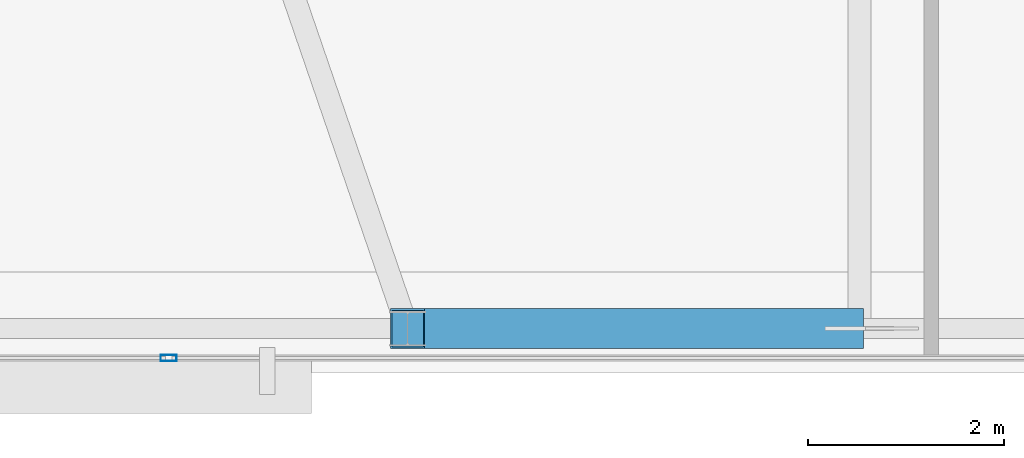
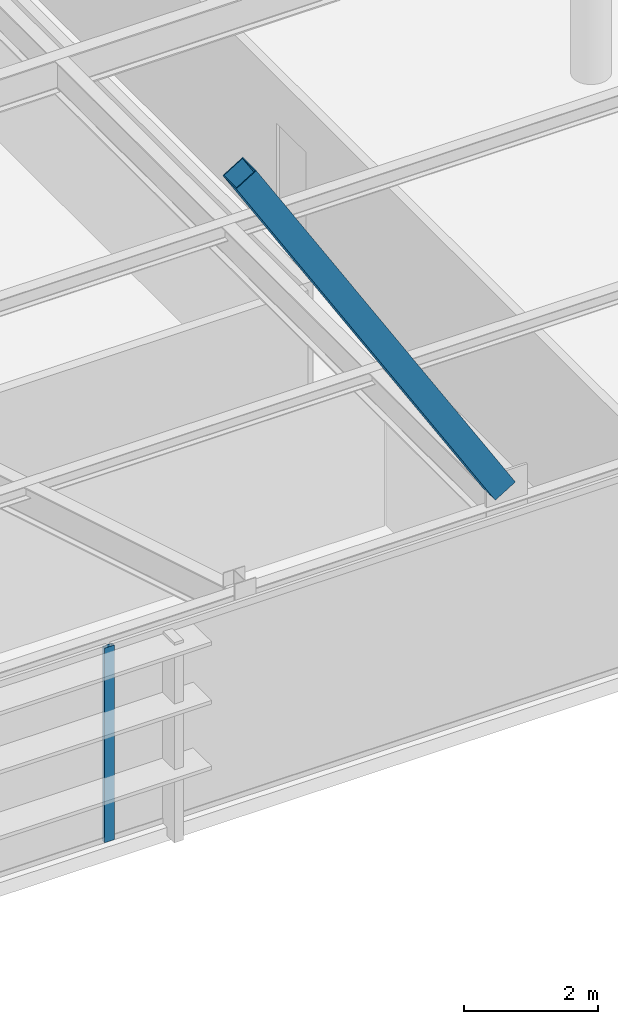
# One storey, part 6 of 27: 2 members, 1 element without a shape of its own.
"""IFC4 building model written with IfcOpenShell, lengths in metres."""

import ifcopenshell
import ifcopenshell.guid

model = None  # the IFC model being written
_history = None  # IfcOwnerHistory: only IFC2X3 demands one
_inside = {}  # id of a spatial element -> (the spatial element, [elements in it])
_under = {}  # id of a project, library or spatial element -> (it, [spatial elements below it])
_declared = {}  # id of a project -> (the project, [libraries it declares])
_typed = {}  # id of a type object -> (the type object, [elements of that type])
_made_of = {}  # id of a material, layer set ... -> (it, [elements and type objects made of it])


def new_model(schema):
    """Start an empty IFC model of exactly this schema.

    Asked for "IFC4X3", IfcOpenShell would pick the latest addendum, in which some entities
    have other attributes; the version numbers below select the first issue.
    IFC2X3 requires an IfcOwnerHistory on every rooted entity: one is made here for all.
    """
    global model, _history
    if schema == "IFC4X3":
        model = ifcopenshell.file(schema_version=(4, 3, 0, 0))
    else:
        model = ifcopenshell.file(schema=schema)
    _inside.clear()
    _under.clear()
    _declared.clear()
    _typed.clear()
    _made_of.clear()
    _history = None
    if model.schema == "IFC2X3":
        org = make("IfcOrganization", Name="unknown")
        user = make(
            "IfcPersonAndOrganization",
            ThePerson=make("IfcPerson", FamilyName="unknown"),
            TheOrganization=org,
        )
        app = make(
            "IfcApplication",
            ApplicationDeveloper=org,
            Version="unknown",
            ApplicationFullName="unknown",
            ApplicationIdentifier="unknown",
        )
        _history = make(
            "IfcOwnerHistory",
            OwningUser=user,
            OwningApplication=app,
            ChangeAction="ADDED",
            CreationDate=0,
        )
    return model


def make(cls, **values):
    """One entity of the class cls with the attributes given. An attribute that is None is left unset."""
    return model.create_entity(
        cls, **{name: value for name, value in values.items() if value is not None}
    )


def rooted(cls, **values):
    """An entity with a GlobalId (a new one), such as an element, a storey or a relation."""
    return make(cls, GlobalId=ifcopenshell.guid.new(), OwnerHistory=_history, **values)


def si_unit(unit_type, name, prefix=None):
    """IfcSIUnit, for example si_unit("LENGTHUNIT", "METRE", prefix="MILLI")."""
    return make("IfcSIUnit", UnitType=unit_type, Prefix=prefix, Name=name)


def assignment(units):
    """IfcUnitAssignment: the units of a project."""
    return None if units is None else make("IfcUnitAssignment", Units=units)


def point(xyz):
    """IfcCartesianPoint."""
    return None if xyz is None else make("IfcCartesianPoint", Coordinates=xyz)


def direction(xyz):
    """IfcDirection."""
    return None if xyz is None else make("IfcDirection", DirectionRatios=xyz)


def frame(location, z_axis=None, x_axis=None):
    """IfcAxis2Placement3D, a coordinate frame: its origin and axes. An axis left out is left unset."""
    return make(
        "IfcAxis2Placement3D",
        Location=point(location),
        Axis=direction(z_axis),
        RefDirection=direction(x_axis),
    )


def frame_2d(location, x_axis=None):
    """IfcAxis2Placement2D, a coordinate frame in the plane: its origin and x axis."""
    return make(
        "IfcAxis2Placement2D", Location=point(location), RefDirection=direction(x_axis)
    )


def origin():
    """The frame at (0, 0, 0) with its axes left unset."""
    return frame((0.0, 0.0, 0.0))


def origin_2d():
    """The frame at (0, 0) in the plane with its x axis left unset."""
    return frame_2d((0.0, 0.0))


def place(relative_to, where):
    """IfcLocalPlacement: puts the frame where relative to a parent placement (None: the world)."""
    return make(
        "IfcLocalPlacement", PlacementRelTo=relative_to, RelativePlacement=where
    )


def context(
    kind, dimensions, precision=None, world=None, true_north=None, identifier=None
):
    """IfcGeometricRepresentationContext, for example the 3D "Model" context."""
    return make(
        "IfcGeometricRepresentationContext",
        ContextIdentifier=identifier,
        ContextType=kind,
        CoordinateSpaceDimension=dimensions,
        Precision=precision,
        WorldCoordinateSystem=world,
        TrueNorth=true_north,
    )


def subcontext(parent, identifier, kind, view, scale=None):
    """IfcGeometricRepresentationSubContext, for example "Body" below "Model"."""
    return make(
        "IfcGeometricRepresentationSubContext",
        ContextIdentifier=identifier,
        ContextType=kind,
        ParentContext=parent,
        TargetScale=scale,
        TargetView=view,
    )


def project(units=None, contexts=None):
    """IfcProject with its units and contexts."""
    return rooted(
        "IfcProject",
        Name="project",
        RepresentationContexts=contexts,
        UnitsInContext=assignment(units),
    )


def spatial(cls, under=None, at=None, **own):
    """A site, building, storey or space (cls), placed at a placement, below another one or the project."""
    s = rooted(cls, ObjectPlacement=at, **own)
    if under is not None:
        _under.setdefault(under.id(), (under, []))[1].append(s)
    return s


def profile(cls, at=None, kind="AREA", **sizes):
    """A parametric profile (cls). Its sizes go by their IFC names, for example OverallWidth=200.0."""
    return make(cls, ProfileType=kind, Position=at, **sizes)


def hollow_rectangle(**sizes):
    """IfcRectangleHollowProfileDef."""
    return profile("IfcRectangleHollowProfileDef", **sizes)


def extrude(swept, where, along, depth):
    """IfcExtrudedAreaSolid: the profile swept, set in the frame where, extruded along a direction by depth."""
    return make(
        "IfcExtrudedAreaSolid",
        SweptArea=swept,
        Position=where,
        ExtrudedDirection=direction(along),
        Depth=depth,
    )


def shape(context_of_items, identifier, shape_type, items):
    """IfcShapeRepresentation: the items that make up one representation, for example the "Body"."""
    return make(
        "IfcShapeRepresentation",
        ContextOfItems=context_of_items,
        RepresentationIdentifier=identifier,
        RepresentationType=shape_type,
        Items=items,
    )


def source(mapping_origin, context_of_items, identifier, shape_type, items):
    """IfcRepresentationMap: a shape defined once, which mapped items show again and again."""
    return make(
        "IfcRepresentationMap",
        MappingOrigin=mapping_origin,
        MappedRepresentation=shape(context_of_items, identifier, shape_type, items),
    )


def transform(
    local_origin,
    x_axis=None,
    y_axis=None,
    z_axis=None,
    scale=None,
    scale2=None,
    scale3=None,
    uniform=True,
):
    """IfcCartesianTransformationOperator3D, or its non-uniform kind. x_axis, y_axis, z_axis: its Axis1, 2, 3."""
    if uniform:
        return make(
            "IfcCartesianTransformationOperator3D",
            Axis1=direction(x_axis),
            Axis2=direction(y_axis),
            LocalOrigin=point(local_origin),
            Scale=scale,
            Axis3=direction(z_axis),
        )
    return make(
        "IfcCartesianTransformationOperator3DnonUniform",
        Axis1=direction(x_axis),
        Axis2=direction(y_axis),
        LocalOrigin=point(local_origin),
        Scale=scale,
        Axis3=direction(z_axis),
        Scale2=scale2,
        Scale3=scale3,
    )


def mapped(mapping_source, mapping_target):
    """IfcMappedItem: shows the shape of a source again, moved by a transform."""
    return make(
        "IfcMappedItem", MappingSource=mapping_source, MappingTarget=mapping_target
    )


def material(Name=None, Category=None):
    """IfcMaterial."""
    return make("IfcMaterial", Name=Name, Category=Category)


def layer(
    of_material, thickness, ventilated=None, Name=None, Category=None, Priority=None
):
    """IfcMaterialLayer: one layer of a wall or slab, of a material (None: an air gap)."""
    return make(
        "IfcMaterialLayer",
        Material=of_material,
        LayerThickness=thickness,
        IsVentilated=ventilated,
        Name=Name,
        Category=Category,
        Priority=Priority,
    )


def layer_set(layers, Name=None):
    """IfcMaterialLayerSet."""
    return make("IfcMaterialLayerSet", MaterialLayers=layers, LayerSetName=Name)


def material_profile(
    of_material, cross_section, Name=None, Category=None, Priority=None
):
    """IfcMaterialProfile: a cross section and its material."""
    return make(
        "IfcMaterialProfile",
        Name=Name,
        Material=of_material,
        Profile=cross_section,
        Priority=Priority,
        Category=Category,
    )


def profile_set(profiles, Name=None, composite=None):
    """IfcMaterialProfileSet."""
    return make(
        "IfcMaterialProfileSet",
        Name=Name,
        MaterialProfiles=profiles,
        CompositeProfile=composite,
    )


def made_of(thing, what):
    """Note that an element or type object is made of a material, layer set ...; save() writes the relation."""
    if what is not None:
        _made_of.setdefault(what.id(), (what, []))[1].append(thing)
    return thing


def type_object(cls, material=None, **own):
    """A type object (cls), such as IfcWallType, which elements share."""
    return made_of(rooted(cls, **own), material)


def type_shapes(of_type, sources):
    """Give a type object the sources (RepresentationMaps) that its elements show as mapped items."""
    of_type.RepresentationMaps = sources


def element(
    cls,
    number,
    at=None,
    inside=None,
    cuts=None,
    type_object=None,
    material=None,
    context=None,
    identifier="Body",
    shape_type=None,
    held_by="IfcProductDefinitionShape",
    body=None,
    shapes=None,
    **own,
):
    """One element of the class cls, such as IfcWall. Its Tag is "e" and its number.

    at: its placement. inside: the storey or other place that contains it. cuts: it is an
    opening in that element (IfcRelVoidsElement). A single representation is given by context,
    identifier, shape_type and body (its items); several are given by shapes. held_by: the class
    of the entity that holds the representations. save() writes the other relations.
    """
    e = rooted(cls, Tag="e%d" % number, ObjectPlacement=at, **own)
    if body is not None:
        shapes = [shape(context, identifier, shape_type, body)]
    if shapes is not None:
        e.Representation = make(held_by, Representations=shapes)
    if inside is not None:
        _inside.setdefault(inside.id(), (inside, []))[1].append(e)
    if cuts is not None:
        rooted(
            "IfcRelVoidsElement", RelatingBuildingElement=cuts, RelatedOpeningElement=e
        )
    if type_object is not None:
        _typed.setdefault(type_object.id(), (type_object, []))[1].append(e)
    return made_of(e, material)


def aggregate(whole, parts):
    """IfcRelAggregates: a whole, such as a stair, and the parts it consists of."""
    return rooted("IfcRelAggregates", RelatingObject=whole, RelatedObjects=parts)


def save(model, path):
    """Write the relations noted so far, then the file.

    IfcRelAggregates (storeys below a building ...), IfcRelContainedInSpatialStructure (elements
    in a storey), IfcRelDefinesByType, IfcRelAssociatesMaterial and IfcRelDeclares: one each for
    every whole, place, type object, material and project.
    """
    for whole, parts in _under.values():
        aggregate(whole, parts)
    for where, things in _inside.values():
        rooted(
            "IfcRelContainedInSpatialStructure",
            RelatedElements=things,
            RelatingStructure=where,
        )
    for kind, things in _typed.values():
        rooted("IfcRelDefinesByType", RelatedObjects=things, RelatingType=kind)
    for what, things in _made_of.values():
        rooted("IfcRelAssociatesMaterial", RelatedObjects=things, RelatingMaterial=what)
    for by, libraries in _declared.values():
        rooted("IfcRelDeclares", RelatingContext=by, RelatedDefinitions=libraries)
    model.write(path)


model = new_model("IFC4")

# Units and contexts
model_context = context("Model", 3, precision=1e-05, world=origin(), true_north=direction((0.0, 1.0)))
body_context = subcontext(model_context, "Body", "Model", "MODEL_VIEW")
ifc_project = project(units=[si_unit("LENGTHUNIT", "METRE"), si_unit("AREAUNIT", "SQUARE_METRE"), si_unit("VOLUMEUNIT", "CUBIC_METRE"), si_unit("PLANEANGLEUNIT", "RADIAN"), si_unit("MASSUNIT", "GRAM", prefix="KILO")], contexts=[model_context])

# Site, building, storey
site_placement = place(None, origin())
site = spatial("IfcSite", under=ifc_project, at=site_placement, CompositionType="ELEMENT")
building_placement = place(site_placement, origin())
building = spatial("IfcBuilding", under=site, at=building_placement, Name="Varnel Quay Broadcast Tower", CompositionType="ELEMENT")
storey_placement = place(building_placement, frame((0.0, 0.0, 243.199951171875)))
storey = spatial("IfcBuildingStorey", under=building, at=storey_placement, Name="L60", CompositionType="ELEMENT", Elevation=243.199951171875)

# Member
ifc_material_1 = material(Name="Structural Steel CSA G40.21 350W", Category="steel")
ifc_material_profile_1 = material_profile(ifc_material_1, hollow_rectangle(XDim=0.406005859375, YDim=0.406005859375, WallThickness=0.01611328125, at=origin_2d()), Name="HSS406X406X16")
ifc_profile_set_1 = profile_set([ifc_material_profile_1], Name="Structural Steel CSA G40.21 350W")
member_type_1 = type_object("IfcMemberType", Name="Brace_HSS406X406X16", PredefinedType="BRACE", material=ifc_profile_set_1)
shared_shape_1 = source(origin(), body_context, "Body", "SweptSolid", [
    extrude(hollow_rectangle(XDim=0.406005859375, YDim=0.406005859375, WallThickness=0.01611328125, at=origin_2d()), origin(), (0.0, 0.0, 1.0), 8.508056640625),
])
type_shapes(member_type_1, [shared_shape_1])
member_1_placement = place(storey_placement, frame((33.86767578125, 10.64990234375, 3.8896484375), z_axis=(-0.525128109977, 0.0, 0.851023188939), x_axis=(0.0, -1.0, 0.0)))
element("IfcMember", 1, at=member_1_placement, inside=storey, type_object=member_type_1, Name="Zone 4 Mega-Brace S-C1T3 Split Diag B2", PredefinedType="BRACE", context=body_context, shape_type="MappedRepresentation", body=[
    mapped(shared_shape_1, transform((0.0, 0.0, 0.0), x_axis=(1.0, 0.0, 0.0), y_axis=(0.0, 1.0, 0.0), z_axis=(0.0, 0.0, 1.0), scale=1.0)),
])

# Curtain wall, member
ifc_material_2 = material(Name="Anodised Bronze Aluminium 6063-T6", Category="aluminium")
ifc_layer = layer(ifc_material_2, 0.18994140625, Name="Anodised Bronze Aluminium 6063-T6")
ifc_layer_set = layer_set([ifc_layer], Name="Anodised Bronze Aluminium 6063-T6")
curtain_wall_type = type_object("IfcCurtainWallType", Name="CW_UpperTower", PredefinedType="NOTDEFINED", material=ifc_layer_set)
curtain_wall_placement = place(storey_placement, origin())
curtain_wall = element("IfcCurtainWall", 2, at=curtain_wall_placement, inside=storey, type_object=curtain_wall_type, Name="L60 South Unitised Curtain Wall 1", PredefinedType="NOTDEFINED")
ifc_material_profile_2 = material_profile(ifc_material_2, hollow_rectangle(XDim=0.06494140625, YDim=0.1650390625, WallThickness=0.00341796875, at=origin_2d()), Name="ALU65X165X3.5")
ifc_profile_set_2 = profile_set([ifc_material_profile_2], Name="Anodised Bronze Aluminium 6063-T6")
member_type_2 = type_object("IfcMemberType", Name="Mull_CWS-03", PredefinedType="MULLION", material=ifc_profile_set_2)
shared_shape_2 = source(origin(), body_context, "Body", "SweptSolid", [
    extrude(hollow_rectangle(XDim=0.06494140625, YDim=0.1650390625, WallThickness=0.00341796875, at=origin_2d()), origin(), (0.0, 0.0, 1.0), 3.550048828125),
])
type_shapes(member_type_2, [shared_shape_2])
member_2_placement = place(storey_placement, frame((26.966552734375, 10.35009765625, 0.0), z_axis=(0.0, 0.0, 1.0), x_axis=(0.0, 1.0, 0.0)))
member_2 = element("IfcMember", 3, at=member_2_placement, type_object=member_type_2, Name="CWS-03 mullion 2", PredefinedType="MULLION", context=body_context, shape_type="MappedRepresentation", body=[
    mapped(shared_shape_2, transform((0.0, 0.0, 0.0), x_axis=(1.0, 0.0, 0.0), y_axis=(0.0, 1.0, 0.0), z_axis=(0.0, 0.0, 1.0), scale=1.0)),
])
aggregate(curtain_wall, [member_2])

save(model, "model.ifc")
